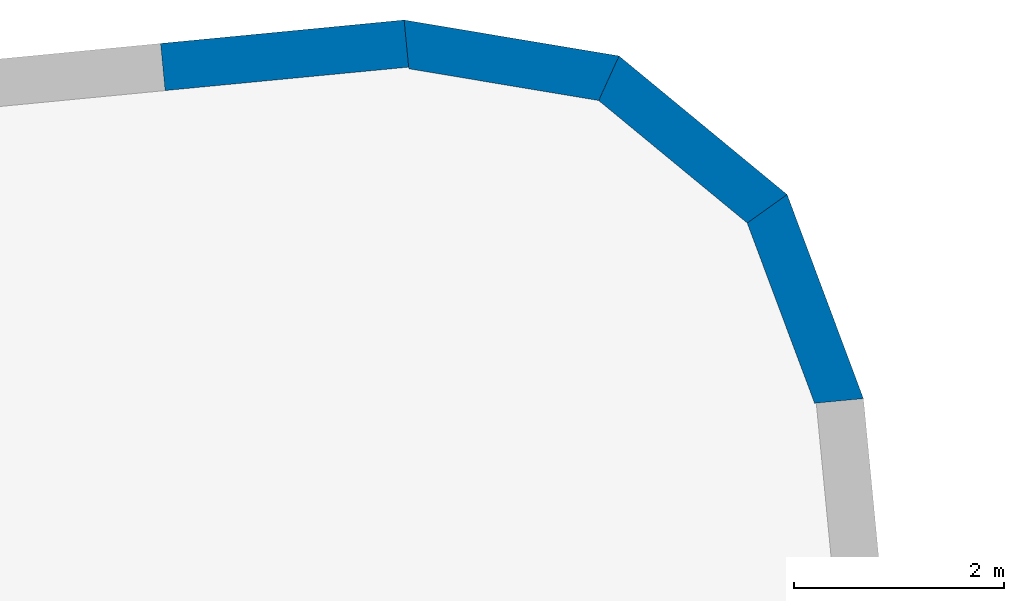
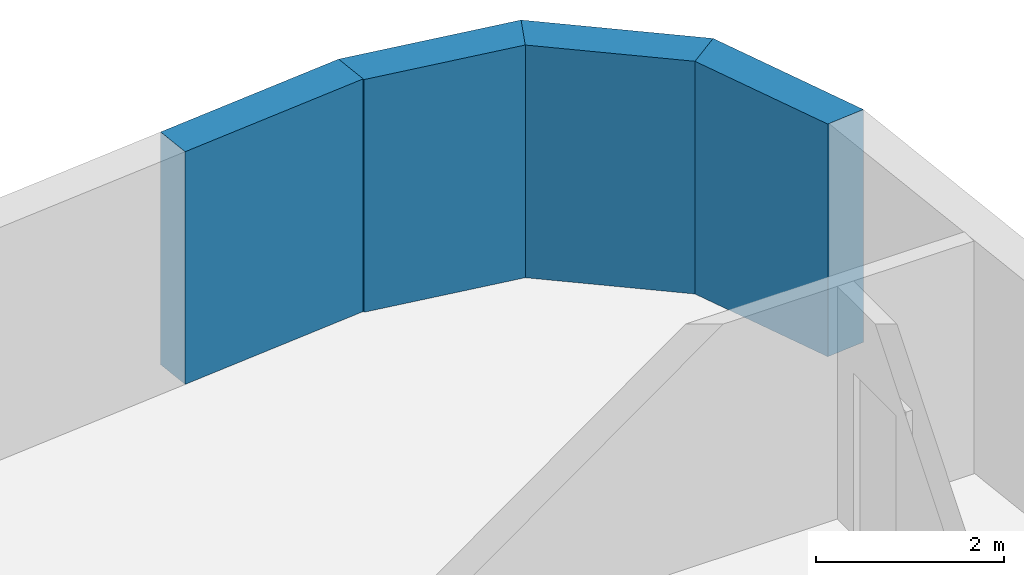
# One storey, part 8 of 12: 4 walls.
"""IFC4 building model written with IfcOpenShell, lengths in metres."""

from ifc_helpers import new_model, si_unit, direction, frame, frame_2d, origin, place, context, subcontext, project, spatial, polyline, rectangle, outline, extrude, material, layer, layer_set, type_object, element, save


model = new_model("IFC4")

# Units and contexts
model_context = context("Model", 3, precision=1e-05, world=origin(), true_north=direction((0.0, 1.0)))
body_context = subcontext(model_context, "Body", "Model", "MODEL_VIEW")
ifc_project = project(units=[si_unit("LENGTHUNIT", "METRE"), si_unit("AREAUNIT", "SQUARE_METRE"), si_unit("VOLUMEUNIT", "CUBIC_METRE"), si_unit("PLANEANGLEUNIT", "RADIAN"), si_unit("MASSUNIT", "GRAM", prefix="KILO")], contexts=[model_context])

# Site, building, storey
site_placement = place(None, origin())
site = spatial("IfcSite", under=ifc_project, at=site_placement, CompositionType="ELEMENT")
building_placement = place(site_placement, origin())
building = spatial("IfcBuilding", under=site, at=building_placement, Name="Kajstack Hotel Tower", CompositionType="ELEMENT")
storey_placement = place(building_placement, frame((0.0, 0.0, 170.199951171875)))
storey = spatial("IfcBuildingStorey", under=building, at=storey_placement, Name="L39", CompositionType="ELEMENT", Elevation=170.199951171875)

# Walls
ifc_material = material(Name="Terracotta-faced brick masonry", Category="masonry")
ifc_layer = layer(ifc_material, 0.449951171875)
ifc_layer_set = layer_set([ifc_layer], Name="EW-TERRA")
wall_type = type_object("IfcWallType", Name="EW-TERRA", PredefinedType="SOLIDWALL", material=ifc_layer_set)
wall_1_placement = place(storey_placement, frame((37.96875, 20.320556640625, 0.0), z_axis=(0.0, 0.0, 1.0), x_axis=(-0.350192909346, 0.936677599948, 0.0)))
element("IfcWall", 1, at=wall_1_placement, inside=storey, type_object=wall_type, Name="E-wall-L39-09-00", PredefinedType="SOLIDWALL", context=body_context, shape_type="SweptSolid", body=[
    extrude(outline(polyline([(0.0, -0.22509765625), (2.070556640625, -0.22509765625), (1.949951171875, 0.22509765625), (0.12060546875, 0.224853515625), (0.0, -0.22509765625)])), origin(), (0.0, 0.0, 1.0), 3.02001953125),
])
wall_2_placement = place(storey_placement, frame((37.311279296875, 22.165283203125, 0.0), z_axis=(0.0, 0.0, 1.0), x_axis=(-0.771651049663, 0.636046112757, 0.0)))
element("IfcWall", 2, at=wall_2_placement, inside=storey, type_object=wall_type, Name="E-wall-L39-10-00", PredefinedType="SOLIDWALL", context=body_context, shape_type="SweptSolid", body=[
    extrude(outline(polyline([(0.0, -0.224853515625), (2.0703125, -0.22509765625), (1.94970703125, 0.224853515625), (0.12060546875, 0.22509765625), (0.0, -0.224853515625)])), origin(), (0.0, 0.0, 1.0), 3.02001953125),
])
wall_3_placement = place(storey_placement, frame((35.819580078125, 23.433837890625, 0.0), z_axis=(0.0, 0.0, 1.0), x_axis=(-0.986278951104, 0.165087342366, 0.0)))
element("IfcWall", 3, at=wall_3_placement, inside=storey, type_object=wall_type, Name="E-wall-L39-11-00", PredefinedType="SOLIDWALL", context=body_context, shape_type="SweptSolid", body=[
    extrude(outline(polyline([(0.0, -0.22509765625), (2.070556640625, -0.224853515625), (1.949951171875, 0.22509765625), (0.12060546875, 0.224853515625), (0.0, -0.22509765625)])), origin(), (0.0, 0.0, 1.0), 3.02001953125),
])
wall_4_placement = place(storey_placement, frame((33.836181640625, 23.7734375, 0.0), z_axis=(0.0, 0.0, 1.0), x_axis=(-0.995405373555, -0.095750416695, 0.0)))
element("IfcWall", 4, at=wall_4_placement, inside=storey, type_object=wall_type, Name="E-wall-L39-12-00", PredefinedType="SOLIDWALL", context=body_context, shape_type="SweptSolid", body=[
    extrude(rectangle(XDim=2.325439453125, YDim=0.449951171875, at=frame_2d((1.16259765625, 0.0))), origin(), (0.0, 0.0, 1.0), 3.02001953125),
])

save(model, "model.ifc")
